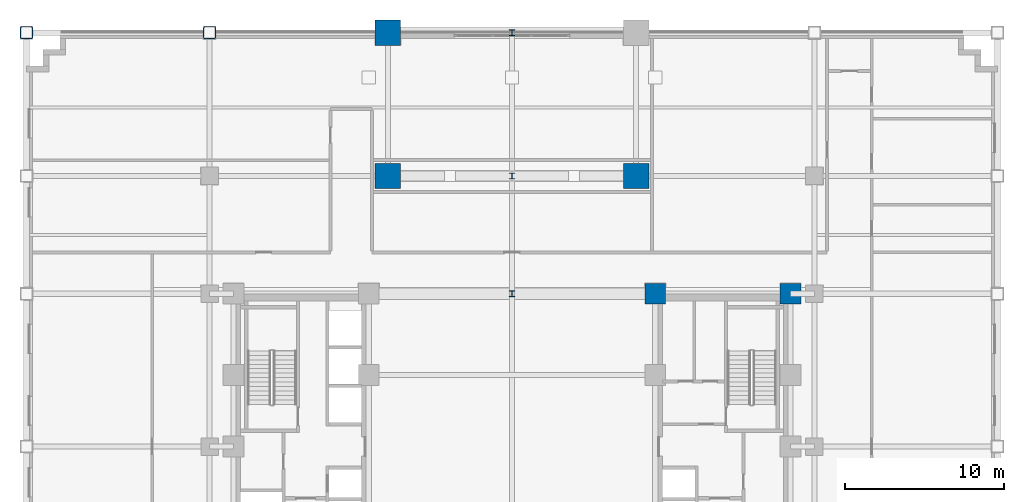
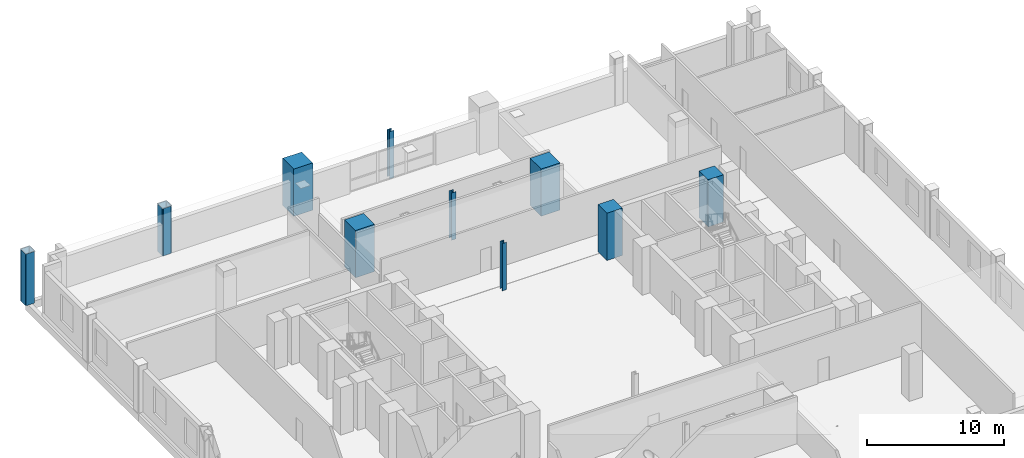
# One storey, part 3 of 17: 10 columns.
"""IFC4 building model written with IfcOpenShell, lengths in metres."""

from ifc_helpers import new_model, si_unit, direction, frame, origin, origin_2d, place, context, subcontext, project, spatial, rectangle, hollow_rectangle, i_section, extrude, material, material_profile, profile_set, type_object, element, save


model = new_model("IFC4")

# Units and contexts
model_context = context("Model", 3, precision=1e-05, world=origin(), true_north=direction((0.0, 1.0)))
body_context = subcontext(model_context, "Body", "Model", "MODEL_VIEW")
ifc_project = project(units=[si_unit("LENGTHUNIT", "METRE"), si_unit("AREAUNIT", "SQUARE_METRE"), si_unit("VOLUMEUNIT", "CUBIC_METRE"), si_unit("PLANEANGLEUNIT", "RADIAN"), si_unit("MASSUNIT", "GRAM", prefix="KILO")], contexts=[model_context])

# Site, building, storey
site_placement = place(None, origin())
site = spatial("IfcSite", under=ifc_project, at=site_placement, CompositionType="ELEMENT")
building_placement = place(site_placement, origin())
building = spatial("IfcBuilding", under=site, at=building_placement, Name="Nuvemarco Arch Tower", CompositionType="ELEMENT")
storey_placement = place(building_placement, frame((0.0, 0.0, 23.0)))
storey = spatial("IfcBuildingStorey", under=building, at=storey_placement, Name="L05", CompositionType="ELEMENT", Elevation=23.0)

# Columns
ifc_material_1 = material(Name="Concrete C60/75", Category="concrete")
ifc_material_profile_1 = material_profile(ifc_material_1, rectangle(XDim=1.300048828125, YDim=1.300048828125, at=origin_2d()), Name="RC-COL-1300x1300")
ifc_profile_set_1 = profile_set([ifc_material_profile_1], Name="Concrete C60/75")
column_type_1 = type_object("IfcColumnType", Name="COL-CORE-1300", PredefinedType="COLUMN", material=ifc_profile_set_1)
for number, where, z_axis, x_axis, name in (
    (1, (9.0, 9.60009765625, 0.0), (0.0, 0.0, 1.0), (1.0, 0.0, 0.0), "L05 column CC_+9.0_+9.6"),
    (2, (17.5, 9.60009765625, 0.0), (0.0, 0.0, 1.0), (1.0, 0.0, 0.0), "L05 column CC_+17.5_+9.6"),
):
    element("IfcColumn", number, at=place(storey_placement, frame(where, z_axis=z_axis, x_axis=x_axis)), inside=storey, type_object=column_type_1, Name=name, PredefinedType="COLUMN", context=body_context, shape_type="SweptSolid", body=[
        extrude(rectangle(XDim=1.300048828125, YDim=1.300048828125, at=origin_2d()), origin(), (0.0, 0.0, 1.0), 4.199951171875),
    ])
ifc_material_2 = material(Name="Steel S460", Category="steel")
ifc_material_profile_2 = material_profile(ifc_material_2, hollow_rectangle(XDim=0.800048828125, YDim=0.800048828125, WallThickness=0.054931640625, InnerFilletRadius=0.054931640625, OuterFilletRadius=0.110107421875, at=origin_2d()), Name="SHS800x800x55")
ifc_profile_set_2 = profile_set([ifc_material_profile_2], Name="Steel S460")
column_type_2 = type_object("IfcColumnType", Name="COL-EXO-800", PredefinedType="COLUMN", material=ifc_profile_set_2)
column_1_placement = place(storey_placement, frame((-30.5, 26.0, -0.39990234375), z_axis=(0.0, 0.0, 1.0), x_axis=(1.0, 0.0, 0.0)))
element("IfcColumn", 3, at=column_1_placement, inside=storey, type_object=column_type_2, Name="L05 column CP_-30.5_+26.0", PredefinedType="COLUMN", context=body_context, shape_type="SweptSolid", body=[
    extrude(hollow_rectangle(XDim=0.800048828125, YDim=0.800048828125, WallThickness=0.054931640625, InnerFilletRadius=0.054931640625, OuterFilletRadius=0.110107421875, at=origin_2d()), origin(), (0.0, 0.0, 1.0), 4.599853515625),
])
column_2_placement = place(storey_placement, frame((-19.0, 26.0, 0.0), z_axis=(0.0, 0.0, 1.0), x_axis=(1.0, 0.0, 0.0)))
element("IfcColumn", 4, at=column_2_placement, inside=storey, type_object=column_type_2, Name="L05 column CP_-19.0_+26.0", PredefinedType="COLUMN", context=body_context, shape_type="SweptSolid", body=[
    extrude(hollow_rectangle(XDim=0.800048828125, YDim=0.800048828125, WallThickness=0.054931640625, InnerFilletRadius=0.054931640625, OuterFilletRadius=0.110107421875, at=origin_2d()), origin(), (0.0, 0.0, 1.0), 4.199951171875),
])
ifc_material_profile_3 = material_profile(ifc_material_1, rectangle(XDim=1.60009765625, YDim=1.60009765625, at=origin_2d()), Name="RC-COL-1600x1600")
ifc_profile_set_3 = profile_set([ifc_material_profile_3], Name="Concrete C60/75")
column_type_3 = type_object("IfcColumnType", Name="COL-MEGA-1600", PredefinedType="COLUMN", material=ifc_profile_set_3)
for number, where, z_axis, x_axis, name in (
    (5, (-7.800048828125, 17.0, 0.0), (0.0, 0.0, 1.0), (1.0, 0.0, 0.0), "L05 column CM_-7.8_+17.0"),
    (6, (-7.800048828125, 26.0, 0.0), (0.0, 0.0, 1.0), (1.0, 0.0, 0.0), "L05 column CM_-7.8_+26.0"),
    (7, (7.800048828125, 17.0, 0.0), (0.0, 0.0, 1.0), (1.0, 0.0, 0.0), "L05 column CM_+7.8_+17.0"),
):
    element("IfcColumn", number, at=place(storey_placement, frame(where, z_axis=z_axis, x_axis=x_axis)), inside=storey, type_object=column_type_3, Name=name, PredefinedType="COLUMN", context=body_context, shape_type="SweptSolid", body=[
        extrude(rectangle(XDim=1.60009765625, YDim=1.60009765625, at=origin_2d()), origin(), (0.0, 0.0, 1.0), 4.199951171875),
    ])
ifc_material_3 = material(Name="Steel S355", Category="steel")
ifc_material_profile_4 = material_profile(ifc_material_3, i_section(OverallWidth=0.360107421875, OverallDepth=0.360107421875, WebThickness=0.0205078125, FlangeThickness=0.0205078125, FilletRadius=0.01806640625, at=origin_2d()), Name="HP360x174")
ifc_profile_set_4 = profile_set([ifc_material_profile_4], Name="Steel S355")
column_type_4 = type_object("IfcColumnType", Name="COL-STL-HP360", PredefinedType="COLUMN", material=ifc_profile_set_4)
for number, where, z_axis, x_axis, name in (
    (8, (0.0, 9.60009765625, 0.0), (0.0, 0.0, 1.0), (1.0, 0.0, 0.0), "L05 column CB_0.0_+9.6"),
    (9, (0.0, 17.0, 0.0), (0.0, 0.0, 1.0), (1.0, 0.0, 0.0), "L05 column CB_0.0_+17.0"),
):
    element("IfcColumn", number, at=place(storey_placement, frame(where, z_axis=z_axis, x_axis=x_axis)), inside=storey, type_object=column_type_4, Name=name, PredefinedType="COLUMN", context=body_context, shape_type="SweptSolid", body=[
        extrude(i_section(OverallWidth=0.360107421875, OverallDepth=0.360107421875, WebThickness=0.0205078125, FlangeThickness=0.0205078125, FilletRadius=0.01806640625, at=origin_2d()), origin(), (0.0, 0.0, 1.0), 4.199951171875),
    ])
ifc_material_profile_5 = material_profile(ifc_material_3, i_section(OverallWidth=0.360107421875, OverallDepth=0.360107421875, WebThickness=0.0205078125, FlangeThickness=0.0205078125, FilletRadius=0.01806640625, at=origin_2d()), Name="HP360x174")
ifc_profile_set_5 = profile_set([ifc_material_profile_5], Name="Steel S355")
column_type_5 = type_object("IfcColumnType", Name="COL-STL-HP360-EXT", PredefinedType="COLUMN", material=ifc_profile_set_5)
column_3_placement = place(storey_placement, frame((0.0, 26.0, 0.0), z_axis=(0.0, 0.0, 1.0), x_axis=(1.0, 0.0, 0.0)))
element("IfcColumn", 10, at=column_3_placement, inside=storey, type_object=column_type_5, Name="L05 column CB_0.0_+26.0", PredefinedType="COLUMN", context=body_context, shape_type="SweptSolid", body=[
    extrude(i_section(OverallWidth=0.360107421875, OverallDepth=0.360107421875, WebThickness=0.0205078125, FlangeThickness=0.0205078125, FilletRadius=0.01806640625, at=origin_2d()), origin(), (0.0, 0.0, 1.0), 4.199951171875),
])

save(model, "model.ifc")
